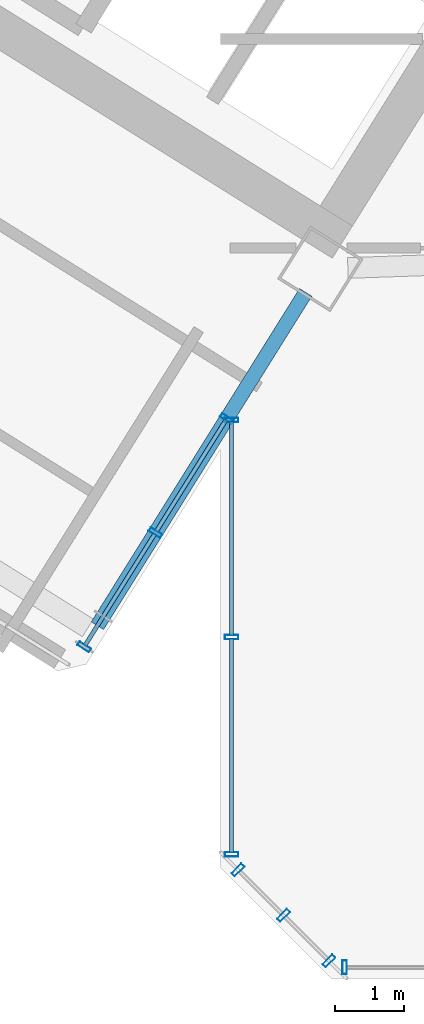
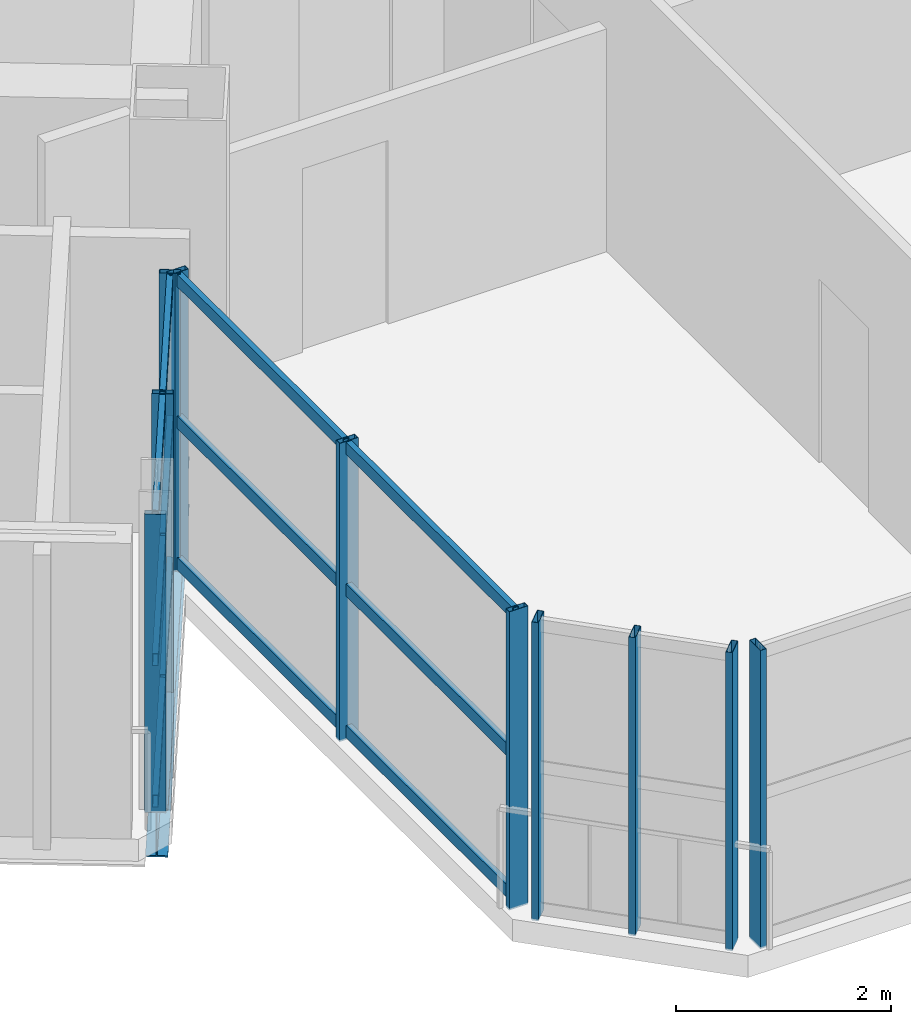
# One storey, part 6 of 29: 22 members, 1 beam, 4 elements without a shape of their own.
"""IFC4 building model written with IfcOpenShell, lengths in metres."""

import ifcopenshell
import ifcopenshell.guid

model = None  # the IFC model being written
_history = None  # IfcOwnerHistory: only IFC2X3 demands one
_inside = {}  # id of a spatial element -> (the spatial element, [elements in it])
_under = {}  # id of a project, library or spatial element -> (it, [spatial elements below it])
_declared = {}  # id of a project -> (the project, [libraries it declares])
_typed = {}  # id of a type object -> (the type object, [elements of that type])
_made_of = {}  # id of a material, layer set ... -> (it, [elements and type objects made of it])


def new_model(schema):
    """Start an empty IFC model of exactly this schema.

    Asked for "IFC4X3", IfcOpenShell would pick the latest addendum, in which some entities
    have other attributes; the version numbers below select the first issue.
    IFC2X3 requires an IfcOwnerHistory on every rooted entity: one is made here for all.
    """
    global model, _history
    if schema == "IFC4X3":
        model = ifcopenshell.file(schema_version=(4, 3, 0, 0))
    else:
        model = ifcopenshell.file(schema=schema)
    _inside.clear()
    _under.clear()
    _declared.clear()
    _typed.clear()
    _made_of.clear()
    _history = None
    if model.schema == "IFC2X3":
        org = make("IfcOrganization", Name="unknown")
        user = make(
            "IfcPersonAndOrganization",
            ThePerson=make("IfcPerson", FamilyName="unknown"),
            TheOrganization=org,
        )
        app = make(
            "IfcApplication",
            ApplicationDeveloper=org,
            Version="unknown",
            ApplicationFullName="unknown",
            ApplicationIdentifier="unknown",
        )
        _history = make(
            "IfcOwnerHistory",
            OwningUser=user,
            OwningApplication=app,
            ChangeAction="ADDED",
            CreationDate=0,
        )
    return model


def make(cls, **values):
    """One entity of the class cls with the attributes given. An attribute that is None is left unset."""
    return model.create_entity(
        cls, **{name: value for name, value in values.items() if value is not None}
    )


def rooted(cls, **values):
    """An entity with a GlobalId (a new one), such as an element, a storey or a relation."""
    return make(cls, GlobalId=ifcopenshell.guid.new(), OwnerHistory=_history, **values)


def si_unit(unit_type, name, prefix=None):
    """IfcSIUnit, for example si_unit("LENGTHUNIT", "METRE", prefix="MILLI")."""
    return make("IfcSIUnit", UnitType=unit_type, Prefix=prefix, Name=name)


def assignment(units):
    """IfcUnitAssignment: the units of a project."""
    return None if units is None else make("IfcUnitAssignment", Units=units)


def point(xyz):
    """IfcCartesianPoint."""
    return None if xyz is None else make("IfcCartesianPoint", Coordinates=xyz)


def direction(xyz):
    """IfcDirection."""
    return None if xyz is None else make("IfcDirection", DirectionRatios=xyz)


def frame(location, z_axis=None, x_axis=None):
    """IfcAxis2Placement3D, a coordinate frame: its origin and axes. An axis left out is left unset."""
    return make(
        "IfcAxis2Placement3D",
        Location=point(location),
        Axis=direction(z_axis),
        RefDirection=direction(x_axis),
    )


def frame_2d(location, x_axis=None):
    """IfcAxis2Placement2D, a coordinate frame in the plane: its origin and x axis."""
    return make(
        "IfcAxis2Placement2D", Location=point(location), RefDirection=direction(x_axis)
    )


def origin():
    """The frame at (0, 0, 0) with its axes left unset."""
    return frame((0.0, 0.0, 0.0))


def origin_2d():
    """The frame at (0, 0) in the plane with its x axis left unset."""
    return frame_2d((0.0, 0.0))


def place(relative_to, where):
    """IfcLocalPlacement: puts the frame where relative to a parent placement (None: the world)."""
    return make(
        "IfcLocalPlacement", PlacementRelTo=relative_to, RelativePlacement=where
    )


def context(
    kind, dimensions, precision=None, world=None, true_north=None, identifier=None
):
    """IfcGeometricRepresentationContext, for example the 3D "Model" context."""
    return make(
        "IfcGeometricRepresentationContext",
        ContextIdentifier=identifier,
        ContextType=kind,
        CoordinateSpaceDimension=dimensions,
        Precision=precision,
        WorldCoordinateSystem=world,
        TrueNorth=true_north,
    )


def subcontext(parent, identifier, kind, view, scale=None):
    """IfcGeometricRepresentationSubContext, for example "Body" below "Model"."""
    return make(
        "IfcGeometricRepresentationSubContext",
        ContextIdentifier=identifier,
        ContextType=kind,
        ParentContext=parent,
        TargetScale=scale,
        TargetView=view,
    )


def project(units=None, contexts=None):
    """IfcProject with its units and contexts."""
    return rooted(
        "IfcProject",
        Name="project",
        RepresentationContexts=contexts,
        UnitsInContext=assignment(units),
    )


def spatial(cls, under=None, at=None, **own):
    """A site, building, storey or space (cls), placed at a placement, below another one or the project."""
    s = rooted(cls, ObjectPlacement=at, **own)
    if under is not None:
        _under.setdefault(under.id(), (under, []))[1].append(s)
    return s


def profile(cls, at=None, kind="AREA", **sizes):
    """A parametric profile (cls). Its sizes go by their IFC names, for example OverallWidth=200.0."""
    return make(cls, ProfileType=kind, Position=at, **sizes)


def hollow_rectangle(**sizes):
    """IfcRectangleHollowProfileDef."""
    return profile("IfcRectangleHollowProfileDef", **sizes)


def i_section(**sizes):
    """IfcIShapeProfileDef."""
    return profile("IfcIShapeProfileDef", **sizes)


def extrude(swept, where, along, depth):
    """IfcExtrudedAreaSolid: the profile swept, set in the frame where, extruded along a direction by depth."""
    return make(
        "IfcExtrudedAreaSolid",
        SweptArea=swept,
        Position=where,
        ExtrudedDirection=direction(along),
        Depth=depth,
    )


def shape(context_of_items, identifier, shape_type, items):
    """IfcShapeRepresentation: the items that make up one representation, for example the "Body"."""
    return make(
        "IfcShapeRepresentation",
        ContextOfItems=context_of_items,
        RepresentationIdentifier=identifier,
        RepresentationType=shape_type,
        Items=items,
    )


def source(mapping_origin, context_of_items, identifier, shape_type, items):
    """IfcRepresentationMap: a shape defined once, which mapped items show again and again."""
    return make(
        "IfcRepresentationMap",
        MappingOrigin=mapping_origin,
        MappedRepresentation=shape(context_of_items, identifier, shape_type, items),
    )


def transform(
    local_origin,
    x_axis=None,
    y_axis=None,
    z_axis=None,
    scale=None,
    scale2=None,
    scale3=None,
    uniform=True,
):
    """IfcCartesianTransformationOperator3D, or its non-uniform kind. x_axis, y_axis, z_axis: its Axis1, 2, 3."""
    if uniform:
        return make(
            "IfcCartesianTransformationOperator3D",
            Axis1=direction(x_axis),
            Axis2=direction(y_axis),
            LocalOrigin=point(local_origin),
            Scale=scale,
            Axis3=direction(z_axis),
        )
    return make(
        "IfcCartesianTransformationOperator3DnonUniform",
        Axis1=direction(x_axis),
        Axis2=direction(y_axis),
        LocalOrigin=point(local_origin),
        Scale=scale,
        Axis3=direction(z_axis),
        Scale2=scale2,
        Scale3=scale3,
    )


def mapped(mapping_source, mapping_target):
    """IfcMappedItem: shows the shape of a source again, moved by a transform."""
    return make(
        "IfcMappedItem", MappingSource=mapping_source, MappingTarget=mapping_target
    )


def material(Name=None, Category=None):
    """IfcMaterial."""
    return make("IfcMaterial", Name=Name, Category=Category)


def material_profile(
    of_material, cross_section, Name=None, Category=None, Priority=None
):
    """IfcMaterialProfile: a cross section and its material."""
    return make(
        "IfcMaterialProfile",
        Name=Name,
        Material=of_material,
        Profile=cross_section,
        Priority=Priority,
        Category=Category,
    )


def profile_set(profiles, Name=None, composite=None):
    """IfcMaterialProfileSet."""
    return make(
        "IfcMaterialProfileSet",
        Name=Name,
        MaterialProfiles=profiles,
        CompositeProfile=composite,
    )


def made_of(thing, what):
    """Note that an element or type object is made of a material, layer set ...; save() writes the relation."""
    if what is not None:
        _made_of.setdefault(what.id(), (what, []))[1].append(thing)
    return thing


def type_object(cls, material=None, **own):
    """A type object (cls), such as IfcWallType, which elements share."""
    return made_of(rooted(cls, **own), material)


def element(
    cls,
    number,
    at=None,
    inside=None,
    cuts=None,
    type_object=None,
    material=None,
    context=None,
    identifier="Body",
    shape_type=None,
    held_by="IfcProductDefinitionShape",
    body=None,
    shapes=None,
    **own,
):
    """One element of the class cls, such as IfcWall. Its Tag is "e" and its number.

    at: its placement. inside: the storey or other place that contains it. cuts: it is an
    opening in that element (IfcRelVoidsElement). A single representation is given by context,
    identifier, shape_type and body (its items); several are given by shapes. held_by: the class
    of the entity that holds the representations. save() writes the other relations.
    """
    e = rooted(cls, Tag="e%d" % number, ObjectPlacement=at, **own)
    if body is not None:
        shapes = [shape(context, identifier, shape_type, body)]
    if shapes is not None:
        e.Representation = make(held_by, Representations=shapes)
    if inside is not None:
        _inside.setdefault(inside.id(), (inside, []))[1].append(e)
    if cuts is not None:
        rooted(
            "IfcRelVoidsElement", RelatingBuildingElement=cuts, RelatedOpeningElement=e
        )
    if type_object is not None:
        _typed.setdefault(type_object.id(), (type_object, []))[1].append(e)
    return made_of(e, material)


def aggregate(whole, parts):
    """IfcRelAggregates: a whole, such as a stair, and the parts it consists of."""
    return rooted("IfcRelAggregates", RelatingObject=whole, RelatedObjects=parts)


def save(model, path):
    """Write the relations noted so far, then the file.

    IfcRelAggregates (storeys below a building ...), IfcRelContainedInSpatialStructure (elements
    in a storey), IfcRelDefinesByType, IfcRelAssociatesMaterial and IfcRelDeclares: one each for
    every whole, place, type object, material and project.
    """
    for whole, parts in _under.values():
        aggregate(whole, parts)
    for where, things in _inside.values():
        rooted(
            "IfcRelContainedInSpatialStructure",
            RelatedElements=things,
            RelatingStructure=where,
        )
    for kind, things in _typed.values():
        rooted("IfcRelDefinesByType", RelatedObjects=things, RelatingType=kind)
    for what, things in _made_of.values():
        rooted("IfcRelAssociatesMaterial", RelatedObjects=things, RelatingMaterial=what)
    for by, libraries in _declared.values():
        rooted("IfcRelDeclares", RelatingContext=by, RelatedDefinitions=libraries)
    model.write(path)


model = new_model("IFC4")

# Units and contexts
model_context = context("Model", 3, precision=1e-05, world=origin(), true_north=direction((0.0, 1.0)))
body_context = subcontext(model_context, "Body", "Model", "MODEL_VIEW")
ifc_project = project(units=[si_unit("LENGTHUNIT", "METRE"), si_unit("AREAUNIT", "SQUARE_METRE"), si_unit("VOLUMEUNIT", "CUBIC_METRE"), si_unit("PLANEANGLEUNIT", "RADIAN"), si_unit("MASSUNIT", "GRAM", prefix="KILO")], contexts=[model_context])

# Site, building, storey
site_placement = place(None, origin())
site = spatial("IfcSite", under=ifc_project, at=site_placement, CompositionType="ELEMENT")
building_placement = place(site_placement, origin())
building = spatial("IfcBuilding", under=site, at=building_placement, Name="Tlacorven Tower", CompositionType="ELEMENT")
storey_placement = place(building_placement, frame((0.0, 0.0, 158.699951171875)))
storey = spatial("IfcBuildingStorey", under=building, at=storey_placement, Name="L40", CompositionType="ELEMENT", Elevation=158.699951171875)

# Beam
ifc_material_1 = material(Name="Steel S355J2", Category="steel")
ifc_material_profile_1 = material_profile(ifc_material_1, i_section(OverallWidth=0.2099609375, OverallDepth=0.550048828125, WebThickness=0.010986328125, FlangeThickness=0.01708984375, at=origin_2d()), Name="IPE 550")
ifc_profile_set_1 = profile_set([ifc_material_profile_1], Name="Steel S355J2")
beam_type = type_object("IfcBeamType", Name="BM-TWR-550", PredefinedType="BEAM", material=ifc_profile_set_1)
shared_shape_1 = source(origin(), body_context, "Body", "SweptSolid", [
    extrude(i_section(OverallWidth=0.2099609375, OverallDepth=0.550048828125, WebThickness=0.010986328125, FlangeThickness=0.01708984375, at=origin_2d()), origin(), (0.0, 0.0, 1.0), 5.699951171875),
])
beam_placement = place(storey_placement, frame((32.834228515625, 11.74755859375, -0.52490234375), z_axis=(-0.529925785607, -0.848044021115, 0.0), x_axis=(0.848044021115, -0.529925785607, 0.0)))
element("IfcBeam", 1, at=beam_placement, inside=storey, type_object=beam_type, Name="L40 beam BM-L40-WT1-2", PredefinedType="BEAM", context=body_context, shape_type="MappedRepresentation", body=[
    mapped(shared_shape_1, transform((0.0, 0.0, 0.0), scale=1.0)),
])

# Curtain wall, member
ifc_material_2 = material(Name="Dark solar low-E double glazing in aluminium frame", Category="aluminium")
curtain_wall_type = type_object("IfcCurtainWallType", Name="CW-TWR-MID", PredefinedType="USERDEFINED", material=ifc_material_2)
curtain_wall_1_placement = place(storey_placement, origin())
curtain_wall_1 = element("IfcCurtainWall", 2, at=curtain_wall_1_placement, inside=storey, type_object=curtain_wall_type, Name="L40 CW-TWR-MID Curtain Wall 179", ObjectType="UNITISED CURTAIN WALL", PredefinedType="USERDEFINED")
ifc_material_3 = material(Name="Aluminium 6063-T6 anodised", Category="aluminium")
ifc_material_profile_2 = material_profile(ifc_material_3, hollow_rectangle(XDim=0.06494140625, YDim=0.199951171875, WallThickness=0.00439453125, at=origin_2d()), Name="ALU MULLION 65X200")
ifc_profile_set_2 = profile_set([ifc_material_profile_2], Name="Aluminium 6063-T6 anodised")
member_type_1 = type_object("IfcMemberType", Name="CWM-02", PredefinedType="MULLION", material=ifc_profile_set_2)
shared_shape_2 = source(origin(), body_context, "Body", "SweptSolid", [
    extrude(hollow_rectangle(XDim=0.06494140625, YDim=0.199951171875, WallThickness=0.00439453125, at=origin_2d()), origin(), (0.0, 0.0, 1.0), 3.380126953125),
])
member_1_placement = place(storey_placement, frame((33.398681640625, 1.9599609375, -0.02001953125), z_axis=(0.0, 0.0, 1.0), x_axis=(-1.0, 0.0, 0.0)))
member_1 = element("IfcMember", 3, at=member_1_placement, type_object=member_type_1, Name="CW-L40-179 Mullion 4", PredefinedType="MULLION", context=body_context, shape_type="MappedRepresentation", body=[
    mapped(shared_shape_2, transform((0.0, 0.0, 0.0), scale=1.0)),
])
aggregate(curtain_wall_1, [member_1])

# Curtain wall, members
curtain_wall_2_placement = place(storey_placement, origin())
curtain_wall_2 = element("IfcCurtainWall", 4, at=curtain_wall_2_placement, inside=storey, type_object=curtain_wall_type, Name="L40 CW-TWR-MID Curtain Wall 180", ObjectType="UNITISED CURTAIN WALL", PredefinedType="USERDEFINED")
member_2_placement = place(storey_placement, frame((33.172607421875, 2.0537109375, -0.02001953125), z_axis=(0.0, 0.0, 1.0), x_axis=(-0.707106781187, 0.707106781187, 0.0)))
member_2 = element("IfcMember", 5, at=member_2_placement, type_object=member_type_1, Name="CW-L40-180 Mullion 1", PredefinedType="MULLION", context=body_context, shape_type="MappedRepresentation", body=[
    mapped(shared_shape_2, transform((0.0, 0.0, 0.0), scale=1.0)),
])
member_3_placement = place(storey_placement, frame((32.51318359375, 2.713134765625, -0.02001953125), z_axis=(0.0, 0.0, 1.0), x_axis=(-0.707106781187, 0.707106781187, 0.0)))
member_3 = element("IfcMember", 6, at=member_3_placement, type_object=member_type_1, Name="CW-L40-180 Mullion 2", PredefinedType="MULLION", context=body_context, shape_type="MappedRepresentation", body=[
    mapped(shared_shape_2, transform((0.0, 0.0, 0.0), scale=1.0)),
])
member_4_placement = place(storey_placement, frame((31.853759765625, 3.37255859375, -0.02001953125), z_axis=(0.0, 0.0, 1.0), x_axis=(-0.707106781187, 0.707106781187, 0.0)))
member_4 = element("IfcMember", 7, at=member_4_placement, type_object=member_type_1, Name="CW-L40-180 Mullion 3", PredefinedType="MULLION", context=body_context, shape_type="MappedRepresentation", body=[
    mapped(shared_shape_2, transform((0.0, 0.0, 0.0), scale=1.0)),
])
aggregate(curtain_wall_2, [member_2, member_3, member_4])

curtain_wall_3_placement = place(storey_placement, origin())
curtain_wall_3 = element("IfcCurtainWall", 8, at=curtain_wall_3_placement, inside=storey, type_object=curtain_wall_type, Name="L40 CW-TWR-MID Curtain Wall 181", ObjectType="UNITISED CURTAIN WALL", PredefinedType="USERDEFINED")
member_5_placement = place(storey_placement, frame((31.760009765625, 3.598876953125, -0.02001953125), z_axis=(0.0, 0.0, 1.0), x_axis=(0.0, 1.0, 0.0)))
member_5 = element("IfcMember", 9, at=member_5_placement, type_object=member_type_1, Name="CW-L40-181 Mullion 1", PredefinedType="MULLION", context=body_context, shape_type="MappedRepresentation", body=[
    mapped(shared_shape_2, transform((0.0, 0.0, 0.0), scale=1.0)),
])
member_6_placement = place(storey_placement, frame((31.760009765625, 6.74755859375, -0.02001953125), z_axis=(0.0, 0.0, 1.0), x_axis=(0.0, 1.0, 0.0)))
member_6 = element("IfcMember", 10, at=member_6_placement, type_object=member_type_1, Name="CW-L40-181 Mullion 2", PredefinedType="MULLION", context=body_context, shape_type="MappedRepresentation", body=[
    mapped(shared_shape_2, transform((0.0, 0.0, 0.0), scale=1.0)),
])
member_7_placement = place(storey_placement, frame((31.760009765625, 9.896240234375, -0.02001953125), z_axis=(0.0, 0.0, 1.0), x_axis=(0.0, 1.0, 0.0)))
member_7 = element("IfcMember", 11, at=member_7_placement, type_object=member_type_1, Name="CW-L40-181 Mullion 3", PredefinedType="MULLION", context=body_context, shape_type="MappedRepresentation", body=[
    mapped(shared_shape_2, transform((0.0, 0.0, 0.0), scale=1.0)),
])

curtain_wall_4_placement = place(storey_placement, origin())
curtain_wall_4 = element("IfcCurtainWall", 12, at=curtain_wall_4_placement, inside=storey, type_object=curtain_wall_type, Name="L40 CW-TWR-MID Curtain Wall 182", ObjectType="UNITISED CURTAIN WALL", PredefinedType="USERDEFINED")
member_8_placement = place(storey_placement, frame((31.689697265625, 9.916259765625, -0.02001953125), z_axis=(0.0, 0.0, 1.0), x_axis=(-0.529918710919, -0.848048441905, 0.0)))
member_8 = element("IfcMember", 13, at=member_8_placement, type_object=member_type_1, Name="CW-L40-182 Mullion 1", PredefinedType="MULLION", context=body_context, shape_type="MappedRepresentation", body=[
    mapped(shared_shape_2, transform((0.0, 0.0, 0.0), scale=1.0)),
])
member_9_placement = place(storey_placement, frame((30.656005859375, 8.261962890625, -0.02001953125), z_axis=(0.0, 0.0, 1.0), x_axis=(-0.529918710919, -0.848048441905, 0.0)))
member_9 = element("IfcMember", 14, at=member_9_placement, type_object=member_type_1, Name="CW-L40-182 Mullion 2", PredefinedType="MULLION", context=body_context, shape_type="MappedRepresentation", body=[
    mapped(shared_shape_2, transform((0.0, 0.0, 0.0), scale=1.0)),
])
member_10_placement = place(storey_placement, frame((29.622314453125, 6.607421875, -0.02001953125), z_axis=(0.0, 0.0, 1.0), x_axis=(-0.529918710919, -0.848048441905, 0.0)))
member_10 = element("IfcMember", 15, at=member_10_placement, type_object=member_type_1, Name="CW-L40-182 Mullion 3", PredefinedType="MULLION", context=body_context, shape_type="MappedRepresentation", body=[
    mapped(shared_shape_2, transform((0.0, 0.0, 0.0), scale=1.0)),
])

# Member
ifc_material_profile_3 = material_profile(ifc_material_3, hollow_rectangle(XDim=0.06005859375, YDim=0.139892578125, WallThickness=0.00390625, at=origin_2d()), Name="ALU TRANSOM 60X140")
ifc_profile_set_3 = profile_set([ifc_material_profile_3], Name="Aluminium 6063-T6 anodised")
member_type_2 = type_object("IfcMemberType", Name="CWT-02", PredefinedType="USERDEFINED", material=ifc_profile_set_3)
shared_shape_3 = source(origin(), body_context, "Body", "SweptSolid", [
    extrude(hollow_rectangle(XDim=0.06005859375, YDim=0.139892578125, WallThickness=0.00390625, at=origin_2d()), origin(), (0.0, 0.0, 1.0), 3.107666015625),
])
member_11_placement = place(storey_placement, frame((31.760009765625, 3.619384765625, 0.070068359375), z_axis=(0.0, 1.0, 0.0), x_axis=(-1.0, 0.0, 0.0)))
member_11 = element("IfcMember", 16, at=member_11_placement, type_object=member_type_2, Name="CW-L40-181 Transom 1", ObjectType="TRANSOM", PredefinedType="USERDEFINED", context=body_context, shape_type="MappedRepresentation", body=[
    mapped(shared_shape_3, transform((0.0, 0.0, 0.0), scale=1.0)),
])

member_12_placement = place(storey_placement, frame((31.760009765625, 3.619384765625, 1.675048828125), z_axis=(0.0, 1.0, 0.0), x_axis=(-1.0, 0.0, 0.0)))
member_12 = element("IfcMember", 17, at=member_12_placement, type_object=member_type_2, Name="CW-L40-181 Transom 2", ObjectType="TRANSOM", PredefinedType="USERDEFINED", context=body_context, shape_type="MappedRepresentation", body=[
    mapped(shared_shape_3, transform((0.0, 0.0, 0.0), scale=1.0)),
])

member_13_placement = place(storey_placement, frame((31.760009765625, 3.619384765625, 3.280029296875), z_axis=(0.0, 1.0, 0.0), x_axis=(-1.0, 0.0, 0.0)))
member_13 = element("IfcMember", 18, at=member_13_placement, type_object=member_type_2, Name="CW-L40-181 Transom 3", ObjectType="TRANSOM", PredefinedType="USERDEFINED", context=body_context, shape_type="MappedRepresentation", body=[
    mapped(shared_shape_3, transform((0.0, 0.0, 0.0), scale=1.0)),
])

member_14_placement = place(storey_placement, frame((31.760009765625, 6.76806640625, 0.070068359375), z_axis=(0.0, 1.0, 0.0), x_axis=(-1.0, 0.0, 0.0)))
member_14 = element("IfcMember", 19, at=member_14_placement, type_object=member_type_2, Name="CW-L40-181 Transom 4", ObjectType="TRANSOM", PredefinedType="USERDEFINED", context=body_context, shape_type="MappedRepresentation", body=[
    mapped(shared_shape_3, transform((0.0, 0.0, 0.0), scale=1.0)),
])

member_15_placement = place(storey_placement, frame((31.760009765625, 6.76806640625, 1.675048828125), z_axis=(0.0, 1.0, 0.0), x_axis=(-1.0, 0.0, 0.0)))
member_15 = element("IfcMember", 20, at=member_15_placement, type_object=member_type_2, Name="CW-L40-181 Transom 5", ObjectType="TRANSOM", PredefinedType="USERDEFINED", context=body_context, shape_type="MappedRepresentation", body=[
    mapped(shared_shape_3, transform((0.0, 0.0, 0.0), scale=1.0)),
])

member_16_placement = place(storey_placement, frame((31.760009765625, 6.76806640625, 3.280029296875), z_axis=(0.0, 1.0, 0.0), x_axis=(-1.0, 0.0, 0.0)))
member_16 = element("IfcMember", 21, at=member_16_placement, type_object=member_type_2, Name="CW-L40-181 Transom 6", ObjectType="TRANSOM", PredefinedType="USERDEFINED", context=body_context, shape_type="MappedRepresentation", body=[
    mapped(shared_shape_3, transform((0.0, 0.0, 0.0), scale=1.0)),
])

aggregate(curtain_wall_3, [member_5, member_6, member_7, member_11, member_12, member_13, member_14, member_15, member_16])

shared_shape_4 = source(origin(), body_context, "Body", "SweptSolid", [
    extrude(hollow_rectangle(XDim=0.06005859375, YDim=0.139892578125, WallThickness=0.00390625, at=origin_2d()), origin(), (0.0, 0.0, 1.0), 1.909912109375),
])
member_17_placement = place(storey_placement, frame((31.678955078125, 9.89892578125, 0.070068359375), z_axis=(-0.529975959448, -0.848012666419, 0.0), x_axis=(0.848012666419, -0.529975959448, 0.0)))
member_17 = element("IfcMember", 22, at=member_17_placement, type_object=member_type_2, Name="CW-L40-182 Transom 1", ObjectType="TRANSOM", PredefinedType="USERDEFINED", context=body_context, shape_type="MappedRepresentation", body=[
    mapped(shared_shape_4, transform((0.0, 0.0, 0.0), scale=1.0)),
])

member_18_placement = place(storey_placement, frame((31.678955078125, 9.89892578125, 1.675048828125), z_axis=(-0.529975959448, -0.848012666419, 0.0), x_axis=(0.848012666419, -0.529975959448, 0.0)))
member_18 = element("IfcMember", 23, at=member_18_placement, type_object=member_type_2, Name="CW-L40-182 Transom 2", ObjectType="TRANSOM", PredefinedType="USERDEFINED", context=body_context, shape_type="MappedRepresentation", body=[
    mapped(shared_shape_4, transform((0.0, 0.0, 0.0), scale=1.0)),
])

member_19_placement = place(storey_placement, frame((31.678955078125, 9.89892578125, 3.280029296875), z_axis=(-0.529975959448, -0.848012666419, 0.0), x_axis=(0.848012666419, -0.529975959448, 0.0)))
member_19 = element("IfcMember", 24, at=member_19_placement, type_object=member_type_2, Name="CW-L40-182 Transom 3", ObjectType="TRANSOM", PredefinedType="USERDEFINED", context=body_context, shape_type="MappedRepresentation", body=[
    mapped(shared_shape_4, transform((0.0, 0.0, 0.0), scale=1.0)),
])

shared_shape_5 = source(origin(), body_context, "Body", "SweptSolid", [
    extrude(hollow_rectangle(XDim=0.06005859375, YDim=0.139892578125, WallThickness=0.00390625, at=origin_2d()), origin(), (0.0, 0.0, 1.0), 1.90966796875),
])
member_20_placement = place(storey_placement, frame((30.64501953125, 8.244384765625, 0.070068359375), z_axis=(-0.529884025548, -0.848070114713, 0.0), x_axis=(0.848070114713, -0.529884025548, 0.0)))
member_20 = element("IfcMember", 25, at=member_20_placement, type_object=member_type_2, Name="CW-L40-182 Transom 4", ObjectType="TRANSOM", PredefinedType="USERDEFINED", context=body_context, shape_type="MappedRepresentation", body=[
    mapped(shared_shape_5, transform((0.0, 0.0, 0.0), scale=1.0)),
])

member_21_placement = place(storey_placement, frame((30.64501953125, 8.244384765625, 1.675048828125), z_axis=(-0.529884025548, -0.848070114713, 0.0), x_axis=(0.848070114713, -0.529884025548, 0.0)))
member_21 = element("IfcMember", 26, at=member_21_placement, type_object=member_type_2, Name="CW-L40-182 Transom 5", ObjectType="TRANSOM", PredefinedType="USERDEFINED", context=body_context, shape_type="MappedRepresentation", body=[
    mapped(shared_shape_5, transform((0.0, 0.0, 0.0), scale=1.0)),
])

member_22_placement = place(storey_placement, frame((30.64501953125, 8.244384765625, 3.280029296875), z_axis=(-0.529884025548, -0.848070114713, 0.0), x_axis=(0.848070114713, -0.529884025548, 0.0)))
member_22 = element("IfcMember", 27, at=member_22_placement, type_object=member_type_2, Name="CW-L40-182 Transom 6", ObjectType="TRANSOM", PredefinedType="USERDEFINED", context=body_context, shape_type="MappedRepresentation", body=[
    mapped(shared_shape_5, transform((0.0, 0.0, 0.0), scale=1.0)),
])

aggregate(curtain_wall_4, [member_8, member_9, member_10, member_17, member_18, member_19, member_20, member_21, member_22])

save(model, "model.ifc")
